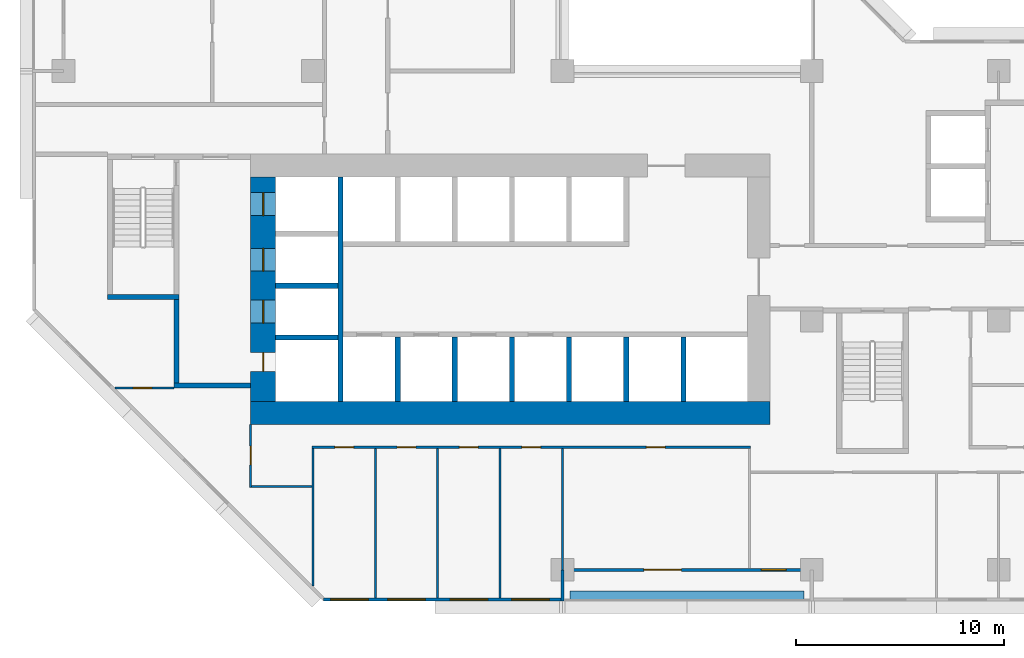
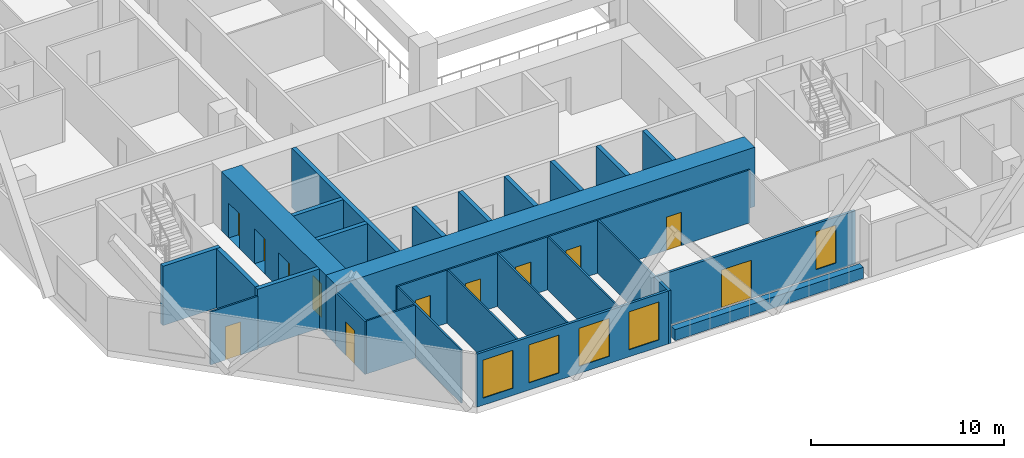
# One storey, part 4 of 15: 27 walls, 12 doors, 5 windows, 17 openings.
"""IFC4 building model written with IfcOpenShell, lengths in metres."""

import ifcopenshell
import ifcopenshell.guid

model = None  # the IFC model being written
_history = None  # IfcOwnerHistory: only IFC2X3 demands one
_inside = {}  # id of a spatial element -> (the spatial element, [elements in it])
_under = {}  # id of a project, library or spatial element -> (it, [spatial elements below it])
_declared = {}  # id of a project -> (the project, [libraries it declares])
_typed = {}  # id of a type object -> (the type object, [elements of that type])
_made_of = {}  # id of a material, layer set ... -> (it, [elements and type objects made of it])


def new_model(schema):
    """Start an empty IFC model of exactly this schema.

    Asked for "IFC4X3", IfcOpenShell would pick the latest addendum, in which some entities
    have other attributes; the version numbers below select the first issue.
    IFC2X3 requires an IfcOwnerHistory on every rooted entity: one is made here for all.
    """
    global model, _history
    if schema == "IFC4X3":
        model = ifcopenshell.file(schema_version=(4, 3, 0, 0))
    else:
        model = ifcopenshell.file(schema=schema)
    _inside.clear()
    _under.clear()
    _declared.clear()
    _typed.clear()
    _made_of.clear()
    _history = None
    if model.schema == "IFC2X3":
        org = make("IfcOrganization", Name="unknown")
        user = make(
            "IfcPersonAndOrganization",
            ThePerson=make("IfcPerson", FamilyName="unknown"),
            TheOrganization=org,
        )
        app = make(
            "IfcApplication",
            ApplicationDeveloper=org,
            Version="unknown",
            ApplicationFullName="unknown",
            ApplicationIdentifier="unknown",
        )
        _history = make(
            "IfcOwnerHistory",
            OwningUser=user,
            OwningApplication=app,
            ChangeAction="ADDED",
            CreationDate=0,
        )
    return model


def make(cls, **values):
    """One entity of the class cls with the attributes given. An attribute that is None is left unset."""
    return model.create_entity(
        cls, **{name: value for name, value in values.items() if value is not None}
    )


def rooted(cls, **values):
    """An entity with a GlobalId (a new one), such as an element, a storey or a relation."""
    return make(cls, GlobalId=ifcopenshell.guid.new(), OwnerHistory=_history, **values)


def si_unit(unit_type, name, prefix=None):
    """IfcSIUnit, for example si_unit("LENGTHUNIT", "METRE", prefix="MILLI")."""
    return make("IfcSIUnit", UnitType=unit_type, Prefix=prefix, Name=name)


def assignment(units):
    """IfcUnitAssignment: the units of a project."""
    return None if units is None else make("IfcUnitAssignment", Units=units)


def point(xyz):
    """IfcCartesianPoint."""
    return None if xyz is None else make("IfcCartesianPoint", Coordinates=xyz)


def direction(xyz):
    """IfcDirection."""
    return None if xyz is None else make("IfcDirection", DirectionRatios=xyz)


def frame(location, z_axis=None, x_axis=None):
    """IfcAxis2Placement3D, a coordinate frame: its origin and axes. An axis left out is left unset."""
    return make(
        "IfcAxis2Placement3D",
        Location=point(location),
        Axis=direction(z_axis),
        RefDirection=direction(x_axis),
    )


def frame_2d(location, x_axis=None):
    """IfcAxis2Placement2D, a coordinate frame in the plane: its origin and x axis."""
    return make(
        "IfcAxis2Placement2D", Location=point(location), RefDirection=direction(x_axis)
    )


def origin():
    """The frame at (0, 0, 0) with its axes left unset."""
    return frame((0.0, 0.0, 0.0))


def place(relative_to, where):
    """IfcLocalPlacement: puts the frame where relative to a parent placement (None: the world)."""
    return make(
        "IfcLocalPlacement", PlacementRelTo=relative_to, RelativePlacement=where
    )


def context(
    kind, dimensions, precision=None, world=None, true_north=None, identifier=None
):
    """IfcGeometricRepresentationContext, for example the 3D "Model" context."""
    return make(
        "IfcGeometricRepresentationContext",
        ContextIdentifier=identifier,
        ContextType=kind,
        CoordinateSpaceDimension=dimensions,
        Precision=precision,
        WorldCoordinateSystem=world,
        TrueNorth=true_north,
    )


def subcontext(parent, identifier, kind, view, scale=None):
    """IfcGeometricRepresentationSubContext, for example "Body" below "Model"."""
    return make(
        "IfcGeometricRepresentationSubContext",
        ContextIdentifier=identifier,
        ContextType=kind,
        ParentContext=parent,
        TargetScale=scale,
        TargetView=view,
    )


def project(units=None, contexts=None):
    """IfcProject with its units and contexts."""
    return rooted(
        "IfcProject",
        Name="project",
        RepresentationContexts=contexts,
        UnitsInContext=assignment(units),
    )


def spatial(cls, under=None, at=None, **own):
    """A site, building, storey or space (cls), placed at a placement, below another one or the project."""
    s = rooted(cls, ObjectPlacement=at, **own)
    if under is not None:
        _under.setdefault(under.id(), (under, []))[1].append(s)
    return s


def profile(cls, at=None, kind="AREA", **sizes):
    """A parametric profile (cls). Its sizes go by their IFC names, for example OverallWidth=200.0."""
    return make(cls, ProfileType=kind, Position=at, **sizes)


def rectangle(**sizes):
    """IfcRectangleProfileDef."""
    return profile("IfcRectangleProfileDef", **sizes)


def extrude(swept, where, along, depth):
    """IfcExtrudedAreaSolid: the profile swept, set in the frame where, extruded along a direction by depth."""
    return make(
        "IfcExtrudedAreaSolid",
        SweptArea=swept,
        Position=where,
        ExtrudedDirection=direction(along),
        Depth=depth,
    )


def shape(context_of_items, identifier, shape_type, items):
    """IfcShapeRepresentation: the items that make up one representation, for example the "Body"."""
    return make(
        "IfcShapeRepresentation",
        ContextOfItems=context_of_items,
        RepresentationIdentifier=identifier,
        RepresentationType=shape_type,
        Items=items,
    )


def material(Name=None, Category=None):
    """IfcMaterial."""
    return make("IfcMaterial", Name=Name, Category=Category)


def layer(
    of_material, thickness, ventilated=None, Name=None, Category=None, Priority=None
):
    """IfcMaterialLayer: one layer of a wall or slab, of a material (None: an air gap)."""
    return make(
        "IfcMaterialLayer",
        Material=of_material,
        LayerThickness=thickness,
        IsVentilated=ventilated,
        Name=Name,
        Category=Category,
        Priority=Priority,
    )


def layer_set(layers, Name=None):
    """IfcMaterialLayerSet."""
    return make("IfcMaterialLayerSet", MaterialLayers=layers, LayerSetName=Name)


def made_of(thing, what):
    """Note that an element or type object is made of a material, layer set ...; save() writes the relation."""
    if what is not None:
        _made_of.setdefault(what.id(), (what, []))[1].append(thing)
    return thing


def type_object(cls, material=None, **own):
    """A type object (cls), such as IfcWallType, which elements share."""
    return made_of(rooted(cls, **own), material)


def element(
    cls,
    number,
    at=None,
    inside=None,
    cuts=None,
    type_object=None,
    material=None,
    context=None,
    identifier="Body",
    shape_type=None,
    held_by="IfcProductDefinitionShape",
    body=None,
    shapes=None,
    **own,
):
    """One element of the class cls, such as IfcWall. Its Tag is "e" and its number.

    at: its placement. inside: the storey or other place that contains it. cuts: it is an
    opening in that element (IfcRelVoidsElement). A single representation is given by context,
    identifier, shape_type and body (its items); several are given by shapes. held_by: the class
    of the entity that holds the representations. save() writes the other relations.
    """
    e = rooted(cls, Tag="e%d" % number, ObjectPlacement=at, **own)
    if body is not None:
        shapes = [shape(context, identifier, shape_type, body)]
    if shapes is not None:
        e.Representation = make(held_by, Representations=shapes)
    if inside is not None:
        _inside.setdefault(inside.id(), (inside, []))[1].append(e)
    if cuts is not None:
        rooted(
            "IfcRelVoidsElement", RelatingBuildingElement=cuts, RelatedOpeningElement=e
        )
    if type_object is not None:
        _typed.setdefault(type_object.id(), (type_object, []))[1].append(e)
    return made_of(e, material)


def fill(opening, filler):
    """IfcRelFillsElement: the door or window that sits in an opening."""
    return rooted(
        "IfcRelFillsElement",
        RelatingOpeningElement=opening,
        RelatedBuildingElement=filler,
    )


def aggregate(whole, parts):
    """IfcRelAggregates: a whole, such as a stair, and the parts it consists of."""
    return rooted("IfcRelAggregates", RelatingObject=whole, RelatedObjects=parts)


def save(model, path):
    """Write the relations noted so far, then the file.

    IfcRelAggregates (storeys below a building ...), IfcRelContainedInSpatialStructure (elements
    in a storey), IfcRelDefinesByType, IfcRelAssociatesMaterial and IfcRelDeclares: one each for
    every whole, place, type object, material and project.
    """
    for whole, parts in _under.values():
        aggregate(whole, parts)
    for where, things in _inside.values():
        rooted(
            "IfcRelContainedInSpatialStructure",
            RelatedElements=things,
            RelatingStructure=where,
        )
    for kind, things in _typed.values():
        rooted("IfcRelDefinesByType", RelatedObjects=things, RelatingType=kind)
    for what, things in _made_of.values():
        rooted("IfcRelAssociatesMaterial", RelatedObjects=things, RelatingMaterial=what)
    for by, libraries in _declared.values():
        rooted("IfcRelDeclares", RelatingContext=by, RelatedDefinitions=libraries)
    model.write(path)


model = new_model("IFC4")

# Units and contexts
model_context = context("Model", 3, precision=1e-05, world=origin(), true_north=direction((0.0, 1.0)))
body_context = subcontext(model_context, "Body", "Model", "MODEL_VIEW")
ifc_project = project(units=[si_unit("LENGTHUNIT", "METRE"), si_unit("AREAUNIT", "SQUARE_METRE"), si_unit("VOLUMEUNIT", "CUBIC_METRE"), si_unit("PLANEANGLEUNIT", "RADIAN"), si_unit("MASSUNIT", "GRAM", prefix="KILO")], contexts=[model_context])

# Site, building, storey
site_placement = place(None, origin())
site = spatial("IfcSite", under=ifc_project, at=site_placement, CompositionType="ELEMENT")
building_placement = place(site_placement, origin())
building = spatial("IfcBuilding", under=site, at=building_placement, Name="Chenar Terraces", CompositionType="ELEMENT")
storey_placement = place(building_placement, frame((0.0, 0.0, 63.89990234375)))
storey = spatial("IfcBuildingStorey", under=building, at=storey_placement, Name="L13", CompositionType="ELEMENT", Elevation=63.89990234375)

# Wall
ifc_material_1 = material(Name="Concrete C70/85", Category="concrete")
ifc_layer_1 = layer(ifc_material_1, 1.10009765625)
ifc_layer_set_1 = layer_set([ifc_layer_1], Name="Concrete C70/85")
wall_type_1 = type_object("IfcWallType", Name="Core wall 1100 Concrete C70/85", PredefinedType="SHEAR", material=ifc_layer_set_1)
wall_1_placement = place(storey_placement, frame((9.0, 7.550048828125, 0.0), z_axis=(0.0, 0.0, 1.0), x_axis=(1.0, 0.0, 0.0)))
element("IfcWall", 1, at=wall_1_placement, inside=storey, type_object=wall_type_1, Name="Core wall S L13", PredefinedType="SHEAR", context=body_context, shape_type="SweptSolid", body=[
    extrude(rectangle(XDim=25.0, YDim=1.10009765625, at=frame_2d((12.5, 0.0))), origin(), (0.0, 0.0, 1.0), 3.75),
])

# Wall, openings, doors
ifc_material_2 = material(Name="Concrete C70/85", Category="concrete")
ifc_layer_2 = layer(ifc_material_2, 1.199951171875)
ifc_layer_set_2 = layer_set([ifc_layer_2], Name="Concrete C70/85")
wall_type_2 = type_object("IfcWallType", Name="Core wall 1200 Concrete C70/85", PredefinedType="SHEAR", material=ifc_layer_set_2)
wall_2_placement = place(storey_placement, frame((9.60009765625, 8.10009765625, 0.0), z_axis=(0.0, 0.0, 1.0), x_axis=(0.0, 1.0, 0.0)))
wall_2 = element("IfcWall", 2, at=wall_2_placement, inside=storey, type_object=wall_type_2, Name="Core wall W L13", PredefinedType="SHEAR", context=body_context, shape_type="SweptSolid", body=[
    extrude(rectangle(XDim=10.7998046875, YDim=1.199951171875, at=frame_2d((5.39990234375, 0.0))), origin(), (0.0, 0.0, 1.0), 3.75),
])
opening_1_placement = place(wall_2_placement, frame((3.77490234375, 0.0, 0.0)))
opening_1 = element("IfcOpeningElement", 3, at=opening_1_placement, cuts=wall_2, Name="Opening DL13-LD5", PredefinedType="OPENING", context=body_context, shape_type="SweptSolid", body=[
    extrude(rectangle(XDim=1.10009765625, YDim=2.199951171875, at=frame_2d((0.550048828125, 1.10009765625))), frame((0.0, 0.60986328125, 0.0), z_axis=(0.0, -1.0, 0.0), x_axis=(1.0, 0.0, 0.0)), (0.0, 0.0, 1.0), 1.219970703125),
])
opening_2_placement = place(wall_2_placement, frame((6.27490234375, 0.0, 0.0)))
opening_2 = element("IfcOpeningElement", 4, at=opening_2_placement, cuts=wall_2, Name="Opening DL13-LD6", PredefinedType="OPENING", context=body_context, shape_type="SweptSolid", body=[
    extrude(rectangle(XDim=1.10009765625, YDim=2.199951171875, at=frame_2d((0.550048828125, 1.10009765625))), frame((0.0, 0.60986328125, 0.0), z_axis=(0.0, -1.0, 0.0), x_axis=(1.0, 0.0, 0.0)), (0.0, 0.0, 1.0), 1.219970703125),
])
opening_3_placement = place(wall_2_placement, frame((8.949951171875, 0.0, 0.0)))
opening_3 = element("IfcOpeningElement", 5, at=opening_3_placement, cuts=wall_2, Name="Opening DL13-LD7", PredefinedType="OPENING", context=body_context, shape_type="SweptSolid", body=[
    extrude(rectangle(XDim=1.10009765625, YDim=2.199951171875, at=frame_2d((0.550048828125, 1.10009765625))), frame((0.0, 0.60986328125, 0.0), z_axis=(0.0, -1.0, 0.0), x_axis=(1.0, 0.0, 0.0)), (0.0, 0.0, 1.0), 1.219970703125),
])
opening_4_placement = place(wall_2_placement, frame((1.449951171875, 0.0, 0.0)))
opening_4 = element("IfcOpeningElement", 6, at=opening_4_placement, cuts=wall_2, Name="Opening DL13-C4", PredefinedType="OPENING", context=body_context, shape_type="SweptSolid", body=[
    extrude(rectangle(XDim=0.89990234375, YDim=2.10009765625, at=frame_2d((0.449951171875, 1.050048828125))), frame((0.0, 0.60986328125, 0.0), z_axis=(0.0, -1.0, 0.0), x_axis=(1.0, 0.0, 0.0)), (0.0, 0.0, 1.0), 1.219970703125),
])
ifc_material_3 = material(Name="Stainless steel", Category="steel")
door_type_1 = type_object("IfcDoorType", Name="Lift landing door 1100 x 2200 sliding", OperationType="DOUBLE_DOOR_SLIDING", PredefinedType="DOOR", material=ifc_material_3)
door_1_placement = place(opening_1_placement, origin())
door_1 = element("IfcDoor", 7, at=door_1_placement, inside=storey, type_object=door_type_1, Name="Landing door S1", OperationType="DOUBLE_DOOR_SLIDING", OverallHeight=2.199951171875, OverallWidth=1.10009765625, PredefinedType="DOOR", context=body_context, shape_type="SweptSolid", body=[
    extrude(rectangle(XDim=1.10009765625, YDim=2.199951171875, at=frame_2d((0.550048828125, 1.10009765625))), frame((0.0, 0.02490234375, 0.0), z_axis=(0.0, -1.0, 0.0), x_axis=(1.0, 0.0, 0.0)), (0.0, 0.0, 1.0), 0.050048828125),
])
fill(opening_1, door_1)
door_2_placement = place(opening_2_placement, origin())
door_2 = element("IfcDoor", 8, at=door_2_placement, inside=storey, type_object=door_type_1, Name="Landing door F1", OperationType="DOUBLE_DOOR_SLIDING", OverallHeight=2.199951171875, OverallWidth=1.10009765625, PredefinedType="DOOR", context=body_context, shape_type="SweptSolid", body=[
    extrude(rectangle(XDim=1.10009765625, YDim=2.199951171875, at=frame_2d((0.550048828125, 1.10009765625))), frame((0.0, 0.02490234375, 0.0), z_axis=(0.0, -1.0, 0.0), x_axis=(1.0, 0.0, 0.0)), (0.0, 0.0, 1.0), 0.050048828125),
])
fill(opening_2, door_2)
door_3_placement = place(opening_3_placement, origin())
door_3 = element("IfcDoor", 9, at=door_3_placement, inside=storey, type_object=door_type_1, Name="Landing door F2", OperationType="DOUBLE_DOOR_SLIDING", OverallHeight=2.199951171875, OverallWidth=1.10009765625, PredefinedType="DOOR", context=body_context, shape_type="SweptSolid", body=[
    extrude(rectangle(XDim=1.10009765625, YDim=2.199951171875, at=frame_2d((0.550048828125, 1.10009765625))), frame((0.0, 0.02490234375, 0.0), z_axis=(0.0, -1.0, 0.0), x_axis=(1.0, 0.0, 0.0)), (0.0, 0.0, 1.0), 0.050048828125),
])
fill(opening_3, door_3)
ifc_material_4 = material(Name="Steel-framed fire-resisting door leaf", Category="steel")
door_type_2 = type_object("IfcDoorType", Name="Riser fire door FD60 900 x 2100", OperationType="SINGLE_SWING_LEFT", PredefinedType="DOOR", material=ifc_material_4)
door_4_placement = place(opening_4_placement, frame((0.89990234375, 0.0, 0.0), z_axis=(0.0, 0.0, 1.0), x_axis=(-1.0, 0.0, 0.0)))
door_4 = element("IfcDoor", 10, at=door_4_placement, inside=storey, type_object=door_type_2, Name="Riser door DL13-C4", OperationType="SINGLE_SWING_RIGHT", OverallHeight=2.10009765625, OverallWidth=0.89990234375, PredefinedType="DOOR", context=body_context, shape_type="SweptSolid", body=[
    extrude(rectangle(XDim=0.89990234375, YDim=2.10009765625, at=frame_2d((0.449951171875, 1.050048828125))), frame((0.0, 0.02490234375, 0.0), z_axis=(0.0, -1.0, 0.0), x_axis=(1.0, 0.0, 0.0)), (0.0, 0.0, 1.0), 0.050048828125),
])
fill(opening_4, door_4)

# Walls
ifc_material_5 = material(Name="Concrete C70/85", Category="concrete")
ifc_layer_3 = layer(ifc_material_5, 0.25)
ifc_layer_set_3 = layer_set([ifc_layer_3], Name="Concrete C70/85")
wall_type_3 = type_object("IfcWallType", Name="Core wall 250 Concrete C70/85", PredefinedType="SHEAR", material=ifc_layer_set_3)
wall_3_placement = place(storey_placement, frame((13.324951171875, 8.10009765625, 0.0), z_axis=(0.0, 0.0, 1.0), x_axis=(0.0, 1.0, 0.0)))
element("IfcWall", 11, at=wall_3_placement, inside=storey, type_object=wall_type_3, Name="Core wall WI L13", PredefinedType="SHEAR", context=body_context, shape_type="SweptSolid", body=[
    extrude(rectangle(XDim=10.7998046875, YDim=0.25, at=frame_2d((5.39990234375, 0.0))), origin(), (0.0, 0.0, 1.0), 3.75),
])
for number, where, z_axis, x_axis, name in (
    (12, (10.199951171875, 11.175048828125, 0.0), (0.0, 0.0, 1.0), (1.0, 0.0, 0.0), "Core wall HW0 L13"),
    (13, (10.199951171875, 13.675048828125, 0.0), (0.0, 0.0, 1.0), (1.0, 0.0, 0.0), "Core wall HW1 L13"),
):
    element("IfcWall", number, at=place(storey_placement, frame(where, z_axis=z_axis, x_axis=x_axis)), inside=storey, type_object=wall_type_3, Name=name, PredefinedType="SHEAR", context=body_context, shape_type="SweptSolid", body=[
        extrude(rectangle(XDim=3.0, YDim=0.25, at=frame_2d((1.5, 0.0))), origin(), (0.0, 0.0, 1.0), 3.75),
    ])
for number, where, z_axis, x_axis, name in (
    (14, (16.074951171875, 8.10009765625, 0.0), (0.0, 0.0, 1.0), (0.0, 1.0, 0.0), "Core wall SS0 L13"),
    (15, (18.824951171875, 8.10009765625, 0.0), (0.0, 0.0, 1.0), (0.0, 1.0, 0.0), "Core wall SS1 L13"),
    (16, (21.574951171875, 8.10009765625, 0.0), (0.0, 0.0, 1.0), (0.0, 1.0, 0.0), "Core wall SS2 L13"),
    (17, (24.324951171875, 8.10009765625, 0.0), (0.0, 0.0, 1.0), (0.0, 1.0, 0.0), "Core wall SS3 L13"),
    (18, (27.074951171875, 8.10009765625, 0.0), (0.0, 0.0, 1.0), (0.0, 1.0, 0.0), "Core wall SS4 L13"),
    (19, (29.824951171875, 8.10009765625, 0.0), (0.0, 0.0, 1.0), (0.0, 1.0, 0.0), "Core wall SS5 L13"),
):
    element("IfcWall", number, at=place(storey_placement, frame(where, z_axis=z_axis, x_axis=x_axis)), inside=storey, type_object=wall_type_3, Name=name, PredefinedType="SHEAR", context=body_context, shape_type="SweptSolid", body=[
        extrude(rectangle(XDim=3.099853515625, YDim=0.25, at=frame_2d((1.5498046875, 0.0))), origin(), (0.0, 0.0, 1.0), 3.75),
    ])
wall_4_placement = place(storey_placement, frame((2.10009765625, 13.125, 0.0), z_axis=(0.0, 0.0, 1.0), x_axis=(1.0, 0.0, 0.0)))
element("IfcWall", 20, at=wall_4_placement, inside=storey, type_object=wall_type_3, Name="Core wall ST1_S L13", PredefinedType="SHEAR", context=body_context, shape_type="SweptSolid", body=[
    extrude(rectangle(XDim=3.449951171875, YDim=0.25, at=frame_2d((1.72509765625, 0.0))), origin(), (0.0, 0.0, 1.0), 3.75),
])
wall_5_placement = place(storey_placement, frame((5.300048828125, 8.875, 0.0), z_axis=(0.0, 0.0, 1.0), x_axis=(1.0, 0.0, 0.0)))
element("IfcWall", 21, at=wall_5_placement, inside=storey, type_object=wall_type_3, Name="Core wall FFL_S L13", PredefinedType="SHEAR", context=body_context, shape_type="SweptSolid", body=[
    extrude(rectangle(XDim=3.699951171875, YDim=0.25, at=frame_2d((1.85009765625, 0.0))), origin(), (0.0, 0.0, 1.0), 3.75),
])
wall_6_placement = place(storey_placement, frame((5.425048828125, 9.0, 0.0), z_axis=(0.0, 0.0, 1.0), x_axis=(0.0, 1.0, 0.0)))
element("IfcWall", 22, at=wall_6_placement, inside=storey, type_object=wall_type_3, Name="Core wall FFL_W L13", PredefinedType="SHEAR", context=body_context, shape_type="SweptSolid", body=[
    extrude(rectangle(XDim=4.0, YDim=0.25, at=frame_2d((2.0, 0.0))), origin(), (0.0, 0.0, 1.0), 3.75),
])

# Wall, openings, windows
ifc_material_6 = material(Name="Aluminium framed glazing", Category="aluminium")
ifc_layer_4 = layer(ifc_material_6, 0.14990234375)
ifc_layer_set_4 = layer_set([ifc_layer_4], Name="Aluminium framed glazing")
wall_type_4 = type_object("IfcWallType", Name="Glazed flush facade wall 150", PredefinedType="SOLIDWALL", material=ifc_layer_set_4)
wall_7_placement = place(storey_placement, frame((12.5, -1.425048828125, 0.0), z_axis=(0.0, 0.0, 1.0), x_axis=(1.0, 0.0, 0.0)))
wall_7 = element("IfcWall", 23, at=wall_7_placement, inside=storey, type_object=wall_type_4, Name="Glazed flush facade wall", PredefinedType="SOLIDWALL", context=body_context, shape_type="SweptSolid", body=[
    extrude(rectangle(XDim=11.425048828125, YDim=0.14990234375, at=frame_2d((5.71240234375, 0.0))), origin(), (0.0, 0.0, 1.0), 3.35009765625),
])
opening_5_placement = place(wall_7_placement, frame((0.35009765625, 0.0, 0.449951171875)))
opening_5 = element("IfcOpeningElement", 24, at=opening_5_placement, cuts=wall_7, Name="Opening W180x240", PredefinedType="OPENING", context=body_context, shape_type="SweptSolid", body=[
    extrude(rectangle(XDim=1.800048828125, YDim=2.39990234375, at=frame_2d((0.89990234375, 1.199951171875))), frame((0.0, 0.0849609375, 0.0), z_axis=(0.0, -1.0, 0.0), x_axis=(1.0, 0.0, 0.0)), (0.0, 0.0, 1.0), 0.169921875),
])
opening_6_placement = place(wall_7_placement, frame((3.10009765625, 0.0, 0.449951171875)))
opening_6 = element("IfcOpeningElement", 25, at=opening_6_placement, cuts=wall_7, Name="Opening W180x240", PredefinedType="OPENING", context=body_context, shape_type="SweptSolid", body=[
    extrude(rectangle(XDim=1.800048828125, YDim=2.39990234375, at=frame_2d((0.89990234375, 1.199951171875))), frame((0.0, 0.0849609375, 0.0), z_axis=(0.0, -1.0, 0.0), x_axis=(1.0, 0.0, 0.0)), (0.0, 0.0, 1.0), 0.169921875),
])
opening_7_placement = place(wall_7_placement, frame((6.10009765625, 0.0, 0.449951171875)))
opening_7 = element("IfcOpeningElement", 26, at=opening_7_placement, cuts=wall_7, Name="Opening W180x240", PredefinedType="OPENING", context=body_context, shape_type="SweptSolid", body=[
    extrude(rectangle(XDim=1.800048828125, YDim=2.39990234375, at=frame_2d((0.89990234375, 1.199951171875))), frame((0.0, 0.0849609375, 0.0), z_axis=(0.0, -1.0, 0.0), x_axis=(1.0, 0.0, 0.0)), (0.0, 0.0, 1.0), 0.169921875),
])
opening_8_placement = place(wall_7_placement, frame((9.0625, 0.0, 0.449951171875)))
opening_8 = element("IfcOpeningElement", 27, at=opening_8_placement, cuts=wall_7, Name="Opening W180x240", PredefinedType="OPENING", context=body_context, shape_type="SweptSolid", body=[
    extrude(rectangle(XDim=1.800048828125, YDim=2.39990234375, at=frame_2d((0.89990234375, 1.199951171875))), frame((0.0, 0.0849609375, 0.0), z_axis=(0.0, -1.0, 0.0), x_axis=(1.0, 0.0, 0.0)), (0.0, 0.0, 1.0), 0.169921875),
])
ifc_material_7 = material(Name="Low emissivity double glazing, aluminium frame", Category="aluminium")
window_type_1 = type_object("IfcWindowType", Name="Fixed light 1800 x 2400", PartitioningType="SINGLE_PANEL", PredefinedType="WINDOW", material=ifc_material_7)
window_1_placement = place(opening_5_placement, origin())
window_1 = element("IfcWindow", 28, at=window_1_placement, inside=storey, type_object=window_type_1, Name="Window", OverallHeight=2.39990234375, OverallWidth=1.800048828125, PartitioningType="SINGLE_PANEL", PredefinedType="WINDOW", context=body_context, shape_type="SweptSolid", body=[
    extrude(rectangle(XDim=1.800048828125, YDim=2.39990234375, at=frame_2d((0.89990234375, 1.199951171875))), frame((0.0, 0.030029296875, 0.0), z_axis=(0.0, -1.0, 0.0), x_axis=(1.0, 0.0, 0.0)), (0.0, 0.0, 1.0), 0.06005859375),
])
fill(opening_5, window_1)
window_2_placement = place(opening_6_placement, origin())
window_2 = element("IfcWindow", 29, at=window_2_placement, inside=storey, type_object=window_type_1, Name="Window", OverallHeight=2.39990234375, OverallWidth=1.800048828125, PartitioningType="SINGLE_PANEL", PredefinedType="WINDOW", context=body_context, shape_type="SweptSolid", body=[
    extrude(rectangle(XDim=1.800048828125, YDim=2.39990234375, at=frame_2d((0.89990234375, 1.199951171875))), frame((0.0, 0.030029296875, 0.0), z_axis=(0.0, -1.0, 0.0), x_axis=(1.0, 0.0, 0.0)), (0.0, 0.0, 1.0), 0.06005859375),
])
fill(opening_6, window_2)
window_3_placement = place(opening_7_placement, origin())
window_3 = element("IfcWindow", 30, at=window_3_placement, inside=storey, type_object=window_type_1, Name="Window", OverallHeight=2.39990234375, OverallWidth=1.800048828125, PartitioningType="SINGLE_PANEL", PredefinedType="WINDOW", context=body_context, shape_type="SweptSolid", body=[
    extrude(rectangle(XDim=1.800048828125, YDim=2.39990234375, at=frame_2d((0.89990234375, 1.199951171875))), frame((0.0, 0.030029296875, 0.0), z_axis=(0.0, -1.0, 0.0), x_axis=(1.0, 0.0, 0.0)), (0.0, 0.0, 1.0), 0.06005859375),
])
fill(opening_7, window_3)
window_4_placement = place(opening_8_placement, origin())
window_4 = element("IfcWindow", 31, at=window_4_placement, inside=storey, type_object=window_type_1, Name="Window", OverallHeight=2.39990234375, OverallWidth=1.800048828125, PartitioningType="SINGLE_PANEL", PredefinedType="WINDOW", context=body_context, shape_type="SweptSolid", body=[
    extrude(rectangle(XDim=1.800048828125, YDim=2.39990234375, at=frame_2d((0.89990234375, 1.199951171875))), frame((0.0, 0.030029296875, 0.0), z_axis=(0.0, -1.0, 0.0), x_axis=(1.0, 0.0, 0.0)), (0.0, 0.0, 1.0), 0.06005859375),
])
fill(opening_8, window_4)

# Wall, openings, window, door
ifc_material_8 = material(Name="Aluminium framed glazing", Category="aluminium")
ifc_layer_5 = layer(ifc_material_8, 0.14990234375)
ifc_layer_set_5 = layer_set([ifc_layer_5], Name="Aluminium framed glazing")
wall_type_5 = type_object("IfcWallType", Name="Glazed loggia back wall 150", PredefinedType="SOLIDWALL", material=ifc_layer_set_5)
wall_8_placement = place(storey_placement, frame((24.074951171875, 0.0, 0.0), z_axis=(0.0, 0.0, 1.0), x_axis=(1.0, 0.0, 0.0)))
wall_8 = element("IfcWall", 32, at=wall_8_placement, inside=storey, type_object=wall_type_5, Name="Glazed loggia back wall", PredefinedType="SOLIDWALL", context=body_context, shape_type="SweptSolid", body=[
    extrude(rectangle(XDim=11.85009765625, YDim=0.14990234375, at=frame_2d((5.925048828125, 0.0))), origin(), (0.0, 0.0, 1.0), 3.35009765625),
])
opening_9_placement = place(wall_8_placement, frame((3.85009765625, 0.0, 0.0)))
opening_9 = element("IfcOpeningElement", 33, at=opening_9_placement, cuts=wall_8, Name="Opening DL13-G5", PredefinedType="OPENING", context=body_context, shape_type="SweptSolid", body=[
    extrude(rectangle(XDim=1.800048828125, YDim=2.39990234375, at=frame_2d((0.89990234375, 1.199951171875))), frame((0.0, 0.0849609375, 0.0), z_axis=(0.0, -1.0, 0.0), x_axis=(1.0, 0.0, 0.0)), (0.0, 0.0, 1.0), 0.169921875),
])
opening_10_placement = place(wall_8_placement, frame((9.5, 0.0, 0.449951171875)))
opening_10 = element("IfcOpeningElement", 34, at=opening_10_placement, cuts=wall_8, Name="Opening W120x240", PredefinedType="OPENING", context=body_context, shape_type="SweptSolid", body=[
    extrude(rectangle(XDim=1.199951171875, YDim=2.39990234375, at=frame_2d((0.60009765625, 1.199951171875))), frame((0.0, 0.0849609375, 0.0), z_axis=(0.0, -1.0, 0.0), x_axis=(1.0, 0.0, 0.0)), (0.0, 0.0, 1.0), 0.169921875),
])
ifc_material_9 = material(Name="Low emissivity double glazing, aluminium frame", Category="aluminium")
window_type_2 = type_object("IfcWindowType", Name="Fixed light 1200 x 2400", PartitioningType="SINGLE_PANEL", PredefinedType="WINDOW", material=ifc_material_9)
window_5_placement = place(opening_10_placement, origin())
window_5 = element("IfcWindow", 35, at=window_5_placement, inside=storey, type_object=window_type_2, Name="Window", OverallHeight=2.39990234375, OverallWidth=1.199951171875, PartitioningType="SINGLE_PANEL", PredefinedType="WINDOW", context=body_context, shape_type="SweptSolid", body=[
    extrude(rectangle(XDim=1.199951171875, YDim=2.39990234375, at=frame_2d((0.60009765625, 1.199951171875))), frame((0.0, 0.030029296875, 0.0), z_axis=(0.0, -1.0, 0.0), x_axis=(1.0, 0.0, 0.0)), (0.0, 0.0, 1.0), 0.06005859375),
])
fill(opening_10, window_5)
ifc_material_10 = material(Name="Low emissivity double glazing, aluminium frame", Category="aluminium")
door_type_3 = type_object("IfcDoorType", Name="Loggia glazed double door 1800 x 2400", OperationType="DOUBLE_DOOR_SINGLE_SWING", PredefinedType="DOOR", material=ifc_material_10)
door_5_placement = place(opening_9_placement, frame((1.800048828125, 0.0, 0.0), z_axis=(0.0, 0.0, 1.0), x_axis=(-1.0, 0.0, 0.0)))
door_5 = element("IfcDoor", 36, at=door_5_placement, inside=storey, type_object=door_type_3, Name="Loggia glazed door", OperationType="DOUBLE_DOOR_SINGLE_SWING", OverallHeight=2.39990234375, OverallWidth=1.800048828125, PredefinedType="DOOR", context=body_context, shape_type="SweptSolid", body=[
    extrude(rectangle(XDim=1.800048828125, YDim=2.39990234375, at=frame_2d((0.89990234375, 1.199951171875))), frame((0.0, 0.02490234375, 0.0), z_axis=(0.0, -1.0, 0.0), x_axis=(1.0, 0.0, 0.0)), (0.0, 0.0, 1.0), 0.050048828125),
])
fill(opening_9, door_5)

# Wall, opening, door
ifc_material_11 = material(Name="Gypsum board on steel studs", Category="steel")
ifc_layer_6 = layer(ifc_material_11, 0.10009765625)
ifc_layer_set_6 = layer_set([ifc_layer_6], Name="Gypsum board on steel studs")
wall_type_6 = type_object("IfcWallType", Name="Gypsum partition 100", PredefinedType="PARTITIONING", material=ifc_layer_set_6)
wall_9_placement = place(storey_placement, frame((2.4609375, 8.75, 0.0), z_axis=(0.0, 0.0, 1.0), x_axis=(1.0, 0.0, 0.0)))
wall_9 = element("IfcWall", 37, at=wall_9_placement, inside=storey, type_object=wall_type_6, Name="Partition L13-012", PredefinedType="PARTITIONING", context=body_context, shape_type="SweptSolid", body=[
    extrude(rectangle(XDim=2.839111328125, YDim=0.10009765625, at=frame_2d((1.41943359375, 0.0))), origin(), (0.0, 0.0, 1.0), 3.35009765625),
])
opening_11_placement = place(wall_9_placement, frame((0.888916015625, 0.0, 0.0)))
opening_11 = element("IfcOpeningElement", 38, at=opening_11_placement, cuts=wall_9, Name="Opening DL13-58", PredefinedType="OPENING", context=body_context, shape_type="SweptSolid", body=[
    extrude(rectangle(XDim=0.89990234375, YDim=2.10009765625, at=frame_2d((0.449951171875, 1.050048828125))), frame((0.0, 0.06005859375, 0.0), z_axis=(0.0, -1.0, 0.0), x_axis=(1.0, 0.0, 0.0)), (0.0, 0.0, 1.0), 0.1201171875),
])
ifc_material_12 = material(Name="Veneered timber door leaf", Category="wood")
door_type_4 = type_object("IfcDoorType", Name="Door 900 x 2100", OperationType="SINGLE_SWING_LEFT", PredefinedType="DOOR", material=ifc_material_12)
door_6_placement = place(opening_11_placement, frame((0.89990234375, 0.0, 0.0), z_axis=(0.0, 0.0, 1.0), x_axis=(-1.0, 0.0, 0.0)))
door_6 = element("IfcDoor", 39, at=door_6_placement, inside=storey, type_object=door_type_4, Name="Door DL13-58", OperationType="SINGLE_SWING_RIGHT", OverallHeight=2.10009765625, OverallWidth=0.89990234375, PredefinedType="DOOR", context=body_context, shape_type="SweptSolid", body=[
    extrude(rectangle(XDim=0.89990234375, YDim=2.10009765625, at=frame_2d((0.449951171875, 1.050048828125))), frame((0.0, 0.02490234375, 0.0), z_axis=(0.0, -1.0, 0.0), x_axis=(1.0, 0.0, 0.0)), (0.0, 0.0, 1.0), 0.050048828125),
])
fill(opening_11, door_6)

wall_10_placement = place(storey_placement, frame((9.0, 3.949951171875, 0.0), z_axis=(0.0, 0.0, 1.0), x_axis=(0.0, 1.0, 0.0)))
wall_10 = element("IfcWall", 40, at=wall_10_placement, inside=storey, type_object=wall_type_6, Name="Partition L13-027", PredefinedType="PARTITIONING", context=body_context, shape_type="SweptSolid", body=[
    extrude(rectangle(XDim=3.050048828125, YDim=0.10009765625, at=frame_2d((1.52490234375, 0.0))), origin(), (0.0, 0.0, 1.0), 3.35009765625),
])
opening_12_placement = place(wall_10_placement, frame((1.10009765625, 0.0, 0.0)))
opening_12 = element("IfcOpeningElement", 41, at=opening_12_placement, cuts=wall_10, Name="Opening DL13-57", PredefinedType="OPENING", context=body_context, shape_type="SweptSolid", body=[
    extrude(rectangle(XDim=0.89990234375, YDim=2.10009765625, at=frame_2d((0.449951171875, 1.050048828125))), frame((0.0, 0.06005859375, 0.0), z_axis=(0.0, -1.0, 0.0), x_axis=(1.0, 0.0, 0.0)), (0.0, 0.0, 1.0), 0.1201171875),
])
door_7_placement = place(opening_12_placement, origin())
door_7 = element("IfcDoor", 42, at=door_7_placement, inside=storey, type_object=door_type_4, Name="Door DL13-57", OperationType="SINGLE_SWING_LEFT", OverallHeight=2.10009765625, OverallWidth=0.89990234375, PredefinedType="DOOR", context=body_context, shape_type="SweptSolid", body=[
    extrude(rectangle(XDim=0.89990234375, YDim=2.10009765625, at=frame_2d((0.449951171875, 1.050048828125))), frame((0.0, 0.02490234375, 0.0), z_axis=(0.0, -1.0, 0.0), x_axis=(1.0, 0.0, 0.0)), (0.0, 0.0, 1.0), 0.050048828125),
])
fill(opening_12, door_7)

# Wall
wall_11_placement = place(storey_placement, frame((9.050048828125, 4.0, 0.0), z_axis=(0.0, 0.0, 1.0), x_axis=(1.0, 0.0, 0.0)))
element("IfcWall", 43, at=wall_11_placement, inside=storey, type_object=wall_type_6, Name="Partition L13-028", PredefinedType="PARTITIONING", context=body_context, shape_type="SweptSolid", body=[
    extrude(rectangle(XDim=2.89990234375, YDim=0.10009765625, at=frame_2d((1.449951171875, 0.0))), origin(), (0.0, 0.0, 1.0), 3.35009765625),
])

# Wall, openings, doors
wall_12_placement = place(storey_placement, frame((11.949951171875, 5.89990234375, 0.0), z_axis=(0.0, 0.0, 1.0), x_axis=(1.0, 0.0, 0.0)))
wall_12 = element("IfcWall", 44, at=wall_12_placement, inside=storey, type_object=wall_type_6, Name="Partition L13-029", PredefinedType="PARTITIONING", context=body_context, shape_type="SweptSolid", body=[
    extrude(rectangle(XDim=21.10009765625, YDim=0.10009765625, at=frame_2d((10.550048828125, 0.0))), origin(), (0.0, 0.0, 1.0), 3.35009765625),
])
opening_13_placement = place(wall_12_placement, frame((1.10009765625, 0.0, 0.0)))
opening_13 = element("IfcOpeningElement", 45, at=opening_13_placement, cuts=wall_12, Name="Opening DL13-49", PredefinedType="OPENING", context=body_context, shape_type="SweptSolid", body=[
    extrude(rectangle(XDim=0.89990234375, YDim=2.10009765625, at=frame_2d((0.449951171875, 1.050048828125))), frame((0.0, 0.06005859375, 0.0), z_axis=(0.0, -1.0, 0.0), x_axis=(1.0, 0.0, 0.0)), (0.0, 0.0, 1.0), 0.1201171875),
])
opening_14_placement = place(wall_12_placement, frame((4.10009765625, 0.0, 0.0)))
opening_14 = element("IfcOpeningElement", 46, at=opening_14_placement, cuts=wall_12, Name="Opening DL13-50", PredefinedType="OPENING", context=body_context, shape_type="SweptSolid", body=[
    extrude(rectangle(XDim=0.89990234375, YDim=2.10009765625, at=frame_2d((0.449951171875, 1.050048828125))), frame((0.0, 0.06005859375, 0.0), z_axis=(0.0, -1.0, 0.0), x_axis=(1.0, 0.0, 0.0)), (0.0, 0.0, 1.0), 0.1201171875),
])
opening_15_placement = place(wall_12_placement, frame((7.10009765625, 0.0, 0.0)))
opening_15 = element("IfcOpeningElement", 47, at=opening_15_placement, cuts=wall_12, Name="Opening DL13-51", PredefinedType="OPENING", context=body_context, shape_type="SweptSolid", body=[
    extrude(rectangle(XDim=0.89990234375, YDim=2.10009765625, at=frame_2d((0.449951171875, 1.050048828125))), frame((0.0, 0.06005859375, 0.0), z_axis=(0.0, -1.0, 0.0), x_axis=(1.0, 0.0, 0.0)), (0.0, 0.0, 1.0), 0.1201171875),
])
opening_16_placement = place(wall_12_placement, frame((10.10009765625, 0.0, 0.0)))
opening_16 = element("IfcOpeningElement", 48, at=opening_16_placement, cuts=wall_12, Name="Opening DL13-52", PredefinedType="OPENING", context=body_context, shape_type="SweptSolid", body=[
    extrude(rectangle(XDim=0.89990234375, YDim=2.10009765625, at=frame_2d((0.449951171875, 1.050048828125))), frame((0.0, 0.06005859375, 0.0), z_axis=(0.0, -1.0, 0.0), x_axis=(1.0, 0.0, 0.0)), (0.0, 0.0, 1.0), 0.1201171875),
])
opening_17_placement = place(wall_12_placement, frame((16.10009765625, 0.0, 0.0)))
opening_17 = element("IfcOpeningElement", 49, at=opening_17_placement, cuts=wall_12, Name="Opening DL13-62", PredefinedType="OPENING", context=body_context, shape_type="SweptSolid", body=[
    extrude(rectangle(XDim=0.89990234375, YDim=2.10009765625, at=frame_2d((0.449951171875, 1.050048828125))), frame((0.0, 0.06005859375, 0.0), z_axis=(0.0, -1.0, 0.0), x_axis=(1.0, 0.0, 0.0)), (0.0, 0.0, 1.0), 0.1201171875),
])
door_8_placement = place(opening_13_placement, frame((0.89990234375, 0.0, 0.0), z_axis=(0.0, 0.0, 1.0), x_axis=(-1.0, 0.0, 0.0)))
door_8 = element("IfcDoor", 50, at=door_8_placement, inside=storey, type_object=door_type_4, Name="Door DL13-49", OperationType="SINGLE_SWING_RIGHT", OverallHeight=2.10009765625, OverallWidth=0.89990234375, PredefinedType="DOOR", context=body_context, shape_type="SweptSolid", body=[
    extrude(rectangle(XDim=0.89990234375, YDim=2.10009765625, at=frame_2d((0.449951171875, 1.050048828125))), frame((0.0, 0.02490234375, 0.0), z_axis=(0.0, -1.0, 0.0), x_axis=(1.0, 0.0, 0.0)), (0.0, 0.0, 1.0), 0.050048828125),
])
fill(opening_13, door_8)
door_9_placement = place(opening_14_placement, frame((0.89990234375, 0.0, 0.0), z_axis=(0.0, 0.0, 1.0), x_axis=(-1.0, 0.0, 0.0)))
door_9 = element("IfcDoor", 51, at=door_9_placement, inside=storey, type_object=door_type_4, Name="Door DL13-50", OperationType="SINGLE_SWING_RIGHT", OverallHeight=2.10009765625, OverallWidth=0.89990234375, PredefinedType="DOOR", context=body_context, shape_type="SweptSolid", body=[
    extrude(rectangle(XDim=0.89990234375, YDim=2.10009765625, at=frame_2d((0.449951171875, 1.050048828125))), frame((0.0, 0.02490234375, 0.0), z_axis=(0.0, -1.0, 0.0), x_axis=(1.0, 0.0, 0.0)), (0.0, 0.0, 1.0), 0.050048828125),
])
fill(opening_14, door_9)
door_10_placement = place(opening_15_placement, frame((0.89990234375, 0.0, 0.0), z_axis=(0.0, 0.0, 1.0), x_axis=(-1.0, 0.0, 0.0)))
door_10 = element("IfcDoor", 52, at=door_10_placement, inside=storey, type_object=door_type_4, Name="Door DL13-51", OperationType="SINGLE_SWING_RIGHT", OverallHeight=2.10009765625, OverallWidth=0.89990234375, PredefinedType="DOOR", context=body_context, shape_type="SweptSolid", body=[
    extrude(rectangle(XDim=0.89990234375, YDim=2.10009765625, at=frame_2d((0.449951171875, 1.050048828125))), frame((0.0, 0.02490234375, 0.0), z_axis=(0.0, -1.0, 0.0), x_axis=(1.0, 0.0, 0.0)), (0.0, 0.0, 1.0), 0.050048828125),
])
fill(opening_15, door_10)
door_11_placement = place(opening_16_placement, frame((0.89990234375, 0.0, 0.0), z_axis=(0.0, 0.0, 1.0), x_axis=(-1.0, 0.0, 0.0)))
door_11 = element("IfcDoor", 53, at=door_11_placement, inside=storey, type_object=door_type_4, Name="Door DL13-52", OperationType="SINGLE_SWING_RIGHT", OverallHeight=2.10009765625, OverallWidth=0.89990234375, PredefinedType="DOOR", context=body_context, shape_type="SweptSolid", body=[
    extrude(rectangle(XDim=0.89990234375, YDim=2.10009765625, at=frame_2d((0.449951171875, 1.050048828125))), frame((0.0, 0.02490234375, 0.0), z_axis=(0.0, -1.0, 0.0), x_axis=(1.0, 0.0, 0.0)), (0.0, 0.0, 1.0), 0.050048828125),
])
fill(opening_16, door_11)
door_12_placement = place(opening_17_placement, frame((0.89990234375, 0.0, 0.0), z_axis=(0.0, 0.0, 1.0), x_axis=(-1.0, 0.0, 0.0)))
door_12 = element("IfcDoor", 54, at=door_12_placement, inside=storey, type_object=door_type_4, Name="Door DL13-62", OperationType="SINGLE_SWING_RIGHT", OverallHeight=2.10009765625, OverallWidth=0.89990234375, PredefinedType="DOOR", context=body_context, shape_type="SweptSolid", body=[
    extrude(rectangle(XDim=0.89990234375, YDim=2.10009765625, at=frame_2d((0.449951171875, 1.050048828125))), frame((0.0, 0.02490234375, 0.0), z_axis=(0.0, -1.0, 0.0), x_axis=(1.0, 0.0, 0.0)), (0.0, 0.0, 1.0), 0.050048828125),
])
fill(opening_17, door_12)

# Walls
wall_13_placement = place(storey_placement, frame((12.0, -0.787841796875, 0.0), z_axis=(0.0, 0.0, 1.0), x_axis=(0.0, 1.0, 0.0)))
element("IfcWall", 55, at=wall_13_placement, inside=storey, type_object=wall_type_6, Name="Partition L13-030", PredefinedType="PARTITIONING", context=body_context, shape_type="SweptSolid", body=[
    extrude(rectangle(XDim=6.637939453125, YDim=0.10009765625, at=frame_2d((3.31884765625, 0.0))), origin(), (0.0, 0.0, 1.0), 3.35009765625),
])
for number, where, z_axis, x_axis, name in (
    (56, (15.0, -1.35107421875, 0.0), (0.0, 0.0, 1.0), (0.0, 1.0, 0.0), "Partition L13-032"),
    (57, (18.0, -1.35107421875, 0.0), (0.0, 0.0, 1.0), (0.0, 1.0, 0.0), "Partition L13-044"),
    (58, (21.0, -1.35107421875, 0.0), (0.0, 0.0, 1.0), (0.0, 1.0, 0.0), "Partition L13-052"),
):
    element("IfcWall", number, at=place(storey_placement, frame(where, z_axis=z_axis, x_axis=x_axis)), inside=storey, type_object=wall_type_6, Name=name, PredefinedType="PARTITIONING", context=body_context, shape_type="SweptSolid", body=[
        extrude(rectangle(XDim=7.201171875, YDim=0.10009765625, at=frame_2d((3.6005859375, 0.0))), origin(), (0.0, 0.0, 1.0), 3.35009765625),
    ])
wall_14_placement = place(storey_placement, frame((24.0, 0.0, 0.0), z_axis=(0.0, 0.0, 1.0), x_axis=(0.0, 1.0, 0.0)))
element("IfcWall", 59, at=wall_14_placement, inside=storey, type_object=wall_type_6, Name="Partition L13-054", PredefinedType="PARTITIONING", context=body_context, shape_type="SweptSolid", body=[
    extrude(rectangle(XDim=5.85009765625, YDim=0.10009765625, at=frame_2d((2.925048828125, 0.0))), origin(), (0.0, 0.0, 1.0), 3.35009765625),
])
ifc_material_13 = material(Name="Terracotta cladding on insulated backing", Category="masonry")
ifc_layer_7 = layer(ifc_material_13, 0.14990234375)
ifc_layer_set_7 = layer_set([ifc_layer_7], Name="Terracotta cladding on insulated backing")
wall_type_7 = type_object("IfcWallType", Name="Loggia return wall 150", PredefinedType="SOLIDWALL", material=ifc_layer_set_7)
wall_15_placement = place(storey_placement, frame((24.0, -1.5, 0.0), z_axis=(0.0, 0.0, 1.0), x_axis=(0.0, 1.0, 0.0)))
element("IfcWall", 60, at=wall_15_placement, inside=storey, type_object=wall_type_7, Name="Loggia return wall", PredefinedType="SOLIDWALL", context=body_context, shape_type="SweptSolid", body=[
    extrude(rectangle(XDim=1.5, YDim=0.14990234375, at=frame_2d((0.75, 0.0))), origin(), (0.0, 0.0, 1.0), 3.35009765625),
])
ifc_material_14 = material(Name="GRP planter trough")
ifc_layer_8 = layer(ifc_material_14, 0.39990234375)
ifc_layer_set_8 = layer_set([ifc_layer_8], Name="GRP planter trough")
wall_type_8 = type_object("IfcWallType", Name="Vertical greenery planter 400", PredefinedType="SOLIDWALL", material=ifc_layer_set_8)
wall_16_placement = place(storey_placement, frame((24.375, -1.22900390625, 0.0), z_axis=(0.0, 0.0, 1.0), x_axis=(1.0, 0.0, 0.0)))
element("IfcWall", 61, at=wall_16_placement, inside=storey, type_object=wall_type_8, Name="Vertical greenery planter", PredefinedType="SOLIDWALL", context=body_context, shape_type="SweptSolid", body=[
    extrude(rectangle(XDim=11.25, YDim=0.39990234375, at=frame_2d((5.625, 0.0))), origin(), (0.0, 0.0, 1.0), 0.7001953125),
])

save(model, "model.ifc")
